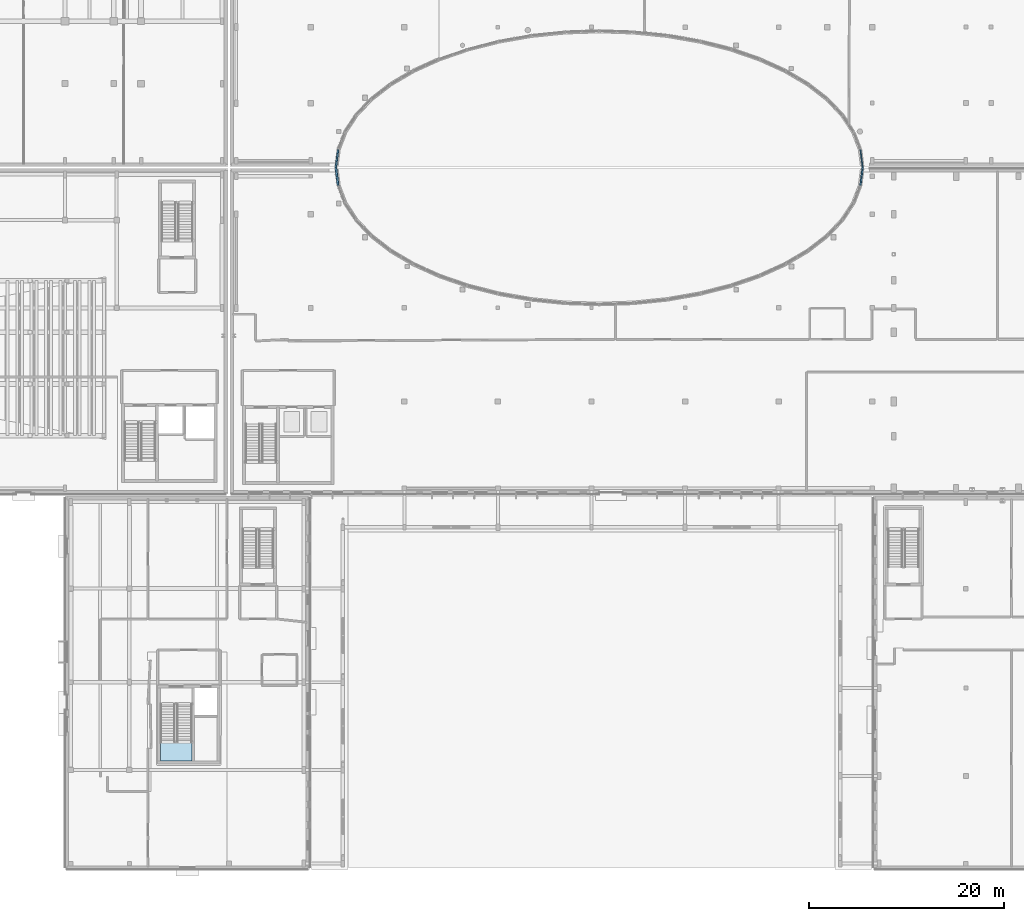
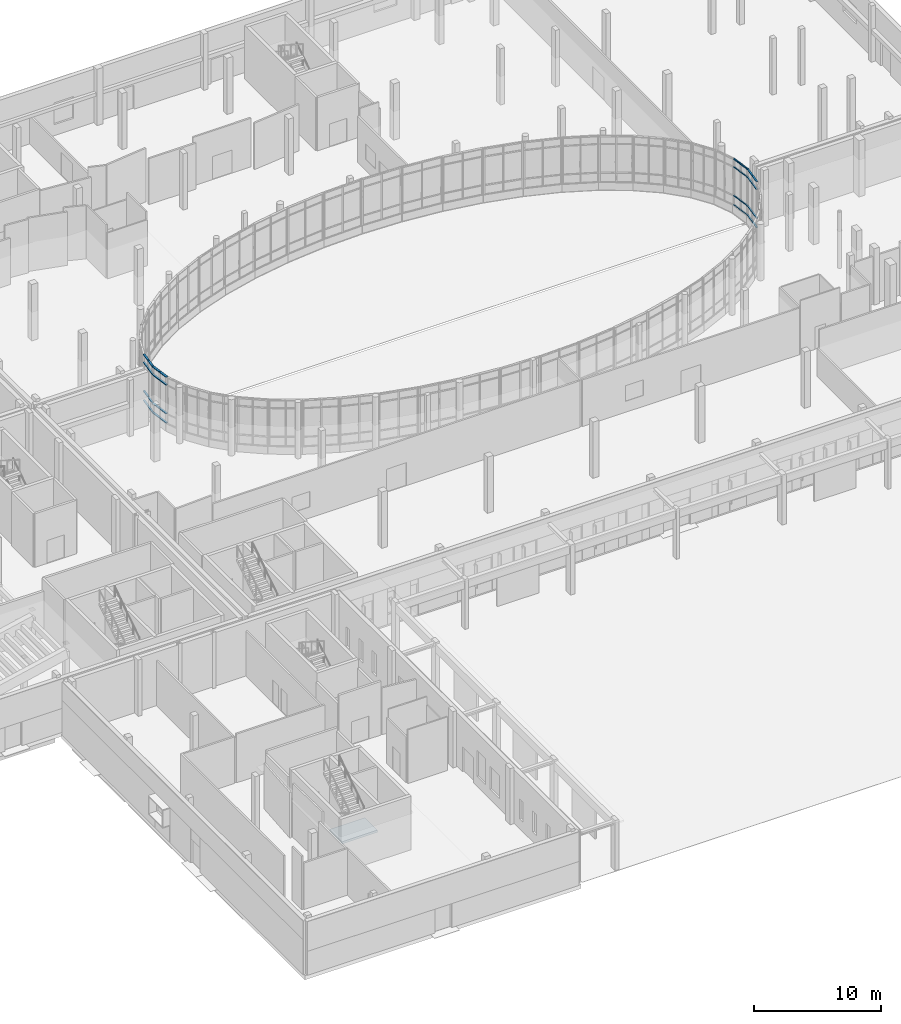
# One storey, part 27 of 84: 32 members, 1 slab, 5 elements without a shape of their own.
"""IFC4 building model written with IfcOpenShell, lengths in metres."""

from ifc_helpers import new_model, si_unit, direction, frame, origin, origin_2d, place, context, subcontext, project, spatial, polyline, rectangle, outline, extrude, material, layer, layer_set, material_profile, profile_set, type_object, element, aggregate, save


model = new_model("IFC4")

# Units and contexts
model_context = context("Model", 3, precision=1e-05, world=origin(), true_north=direction((0.0, 1.0)))
body_context = subcontext(model_context, "Body", "Model", "MODEL_VIEW")
ifc_project = project(units=[si_unit("LENGTHUNIT", "METRE"), si_unit("AREAUNIT", "SQUARE_METRE"), si_unit("VOLUMEUNIT", "CUBIC_METRE"), si_unit("PLANEANGLEUNIT", "RADIAN"), si_unit("MASSUNIT", "GRAM", prefix="KILO")], contexts=[model_context])

# Site, building, storey
site_placement = place(None, origin())
site = spatial("IfcSite", under=ifc_project, at=site_placement, CompositionType="ELEMENT")
building_placement = place(site_placement, origin())
building = spatial("IfcBuilding", under=site, at=building_placement, Name="Mzevani Central Library", CompositionType="ELEMENT")
storey_placement = place(building_placement, origin())
storey = spatial("IfcBuildingStorey", under=building, at=storey_placement, Name="L00", CompositionType="ELEMENT", Elevation=0.0)

# Curtain wall, members
ifc_material_1 = material(Name="Thermally broken aluminium and Low-E triple glazing", Category="aluminium")
curtain_wall_type_1 = type_object("IfcCurtainWallType", Name="Reading Hall Northlight Curtain Wall", PredefinedType="NOTDEFINED", material=ifc_material_1)
curtain_wall_1_placement = place(storey_placement, origin())
curtain_wall_1 = element("IfcCurtainWall", 1, at=curtain_wall_1_placement, inside=storey, type_object=curtain_wall_type_1, Name="L00 Elliptical Court Curtain Wall 1", PredefinedType="NOTDEFINED")
ifc_material_2 = material(Name="Thermally broken aluminium AW-6060", Category="aluminium")
ifc_material_profile_1 = material_profile(ifc_material_2, rectangle(XDim=0.110107421875, YDim=0.06005859375, at=origin_2d()), Name="ALU T60x110")
ifc_profile_set_1 = profile_set([ifc_material_profile_1], Name="Thermally broken aluminium AW-6060")
member_type_1 = type_object("IfcMemberType", Name="CW Transom 60x110", PredefinedType="USERDEFINED", material=ifc_profile_set_1)
member_1_placement = place(storey_placement, frame((111.02001953125, 76.00732421875, 0.719970703125), z_axis=(-0.126249473597, 0.991998523394, 0.0), x_axis=(-0.991998523394, -0.126249473597, 0.0)))
member_1 = element("IfcMember", 2, at=member_1_placement, type_object=member_type_1, Name="L00 Elliptical Court Curtain Wall 1 Transom 1", ObjectType="TRANSOM", PredefinedType="USERDEFINED", context=body_context, shape_type="SweptSolid", body=[
    extrude(rectangle(XDim=0.110107421875, YDim=0.06005859375, at=origin_2d()), origin(), (0.0, 0.0, 1.0), 0.908935546875),
])
member_2_placement = place(storey_placement, frame((111.02001953125, 76.00732421875, 1.6201171875), z_axis=(-0.126249473597, 0.991998523394, 0.0), x_axis=(-0.991998523394, -0.126249473597, 0.0)))
member_2 = element("IfcMember", 3, at=member_2_placement, type_object=member_type_1, Name="L00 Elliptical Court Curtain Wall 1 Transom 2", ObjectType="TRANSOM", PredefinedType="USERDEFINED", context=body_context, shape_type="SweptSolid", body=[
    extrude(rectangle(XDim=0.110107421875, YDim=0.06005859375, at=origin_2d()), origin(), (0.0, 0.0, 1.0), 0.908935546875),
])
member_3_placement = place(storey_placement, frame((111.02001953125, 76.00732421875, 4.3701171875), z_axis=(-0.126249473597, 0.991998523394, 0.0), x_axis=(-0.991998523394, -0.126249473597, 0.0)))
member_3 = element("IfcMember", 4, at=member_3_placement, type_object=member_type_1, Name="L00 Elliptical Court Curtain Wall 1 Transom 3", ObjectType="TRANSOM", PredefinedType="USERDEFINED", context=body_context, shape_type="SweptSolid", body=[
    extrude(rectangle(XDim=0.110107421875, YDim=0.06005859375, at=origin_2d()), origin(), (0.0, 0.0, 1.0), 0.908935546875),
])
member_4_placement = place(storey_placement, frame((111.02001953125, 76.00732421875, 5.1201171875), z_axis=(-0.126249473597, 0.991998523394, 0.0), x_axis=(-0.991998523394, -0.126249473597, 0.0)))
member_4 = element("IfcMember", 5, at=member_4_placement, type_object=member_type_1, Name="L00 Elliptical Court Curtain Wall 1 Transom 4", ObjectType="TRANSOM", PredefinedType="USERDEFINED", context=body_context, shape_type="SweptSolid", body=[
    extrude(rectangle(XDim=0.110107421875, YDim=0.06005859375, at=origin_2d()), origin(), (0.0, 0.0, 1.0), 0.908935546875),
])
member_5_placement = place(storey_placement, frame((110.9052734375, 76.908935546875, 0.719970703125), z_axis=(-0.126283123757, 0.991994240232, 0.0), x_axis=(-0.991994240232, -0.126283123757, 0.0)))
member_5 = element("IfcMember", 6, at=member_5_placement, type_object=member_type_1, Name="L00 Elliptical Court Curtain Wall 1 Transom 5", ObjectType="TRANSOM", PredefinedType="USERDEFINED", context=body_context, shape_type="SweptSolid", body=[
    extrude(rectangle(XDim=0.110107421875, YDim=0.06005859375, at=origin_2d()), origin(), (0.0, 0.0, 1.0), 0.90869140625),
])
member_6_placement = place(storey_placement, frame((110.9052734375, 76.908935546875, 1.6201171875), z_axis=(-0.126283123757, 0.991994240232, 0.0), x_axis=(-0.991994240232, -0.126283123757, 0.0)))
member_6 = element("IfcMember", 7, at=member_6_placement, type_object=member_type_1, Name="L00 Elliptical Court Curtain Wall 1 Transom 6", ObjectType="TRANSOM", PredefinedType="USERDEFINED", context=body_context, shape_type="SweptSolid", body=[
    extrude(rectangle(XDim=0.110107421875, YDim=0.06005859375, at=origin_2d()), origin(), (0.0, 0.0, 1.0), 0.90869140625),
])
member_7_placement = place(storey_placement, frame((110.9052734375, 76.908935546875, 4.3701171875), z_axis=(-0.126283123757, 0.991994240232, 0.0), x_axis=(-0.991994240232, -0.126283123757, 0.0)))
member_7 = element("IfcMember", 8, at=member_7_placement, type_object=member_type_1, Name="L00 Elliptical Court Curtain Wall 1 Transom 7", ObjectType="TRANSOM", PredefinedType="USERDEFINED", context=body_context, shape_type="SweptSolid", body=[
    extrude(rectangle(XDim=0.110107421875, YDim=0.06005859375, at=origin_2d()), origin(), (0.0, 0.0, 1.0), 0.90869140625),
])
member_8_placement = place(storey_placement, frame((110.9052734375, 76.908935546875, 5.1201171875), z_axis=(-0.126283123757, 0.991994240232, 0.0), x_axis=(-0.991994240232, -0.126283123757, 0.0)))
member_8 = element("IfcMember", 9, at=member_8_placement, type_object=member_type_1, Name="L00 Elliptical Court Curtain Wall 1 Transom 8", ObjectType="TRANSOM", PredefinedType="USERDEFINED", context=body_context, shape_type="SweptSolid", body=[
    extrude(rectangle(XDim=0.110107421875, YDim=0.06005859375, at=origin_2d()), origin(), (0.0, 0.0, 1.0), 0.90869140625),
])
aggregate(curtain_wall_1, [member_1, member_2, member_3, member_4, member_5, member_6, member_7, member_8])

curtain_wall_type_2 = type_object("IfcCurtainWallType", Name="Elliptical Court Unitised Curtain Wall", PredefinedType="NOTDEFINED", material=ifc_material_1)
curtain_wall_2_placement = place(storey_placement, origin())
curtain_wall_2 = element("IfcCurtainWall", 10, at=curtain_wall_2_placement, inside=storey, type_object=curtain_wall_type_2, Name="L00 Elliptical Court Curtain Wall 48", PredefinedType="NOTDEFINED")
ifc_material_profile_2 = material_profile(ifc_material_2, rectangle(XDim=0.14990234375, YDim=0.06005859375, at=origin_2d()), Name="ALU T60x150")
ifc_profile_set_2 = profile_set([ifc_material_profile_2], Name="Thermally broken aluminium AW-6060")
member_type_2 = type_object("IfcMemberType", Name="CW Transom 60x150", PredefinedType="USERDEFINED", material=ifc_profile_set_2)
member_9_placement = place(storey_placement, frame((110.79052734375, 74.189697265625, 0.719970703125), z_axis=(0.126283123757, 0.991994240232, 0.0), x_axis=(-0.991994240232, 0.126283123757, 0.0)))
member_9 = element("IfcMember", 11, at=member_9_placement, type_object=member_type_2, Name="L00 Elliptical Court Curtain Wall 48 Transom 1", ObjectType="TRANSOM", PredefinedType="USERDEFINED", context=body_context, shape_type="SweptSolid", body=[
    extrude(rectangle(XDim=0.14990234375, YDim=0.06005859375, at=origin_2d()), origin(), (0.0, 0.0, 1.0), 0.90869140625),
])
member_10_placement = place(storey_placement, frame((110.79052734375, 74.189697265625, 1.6201171875), z_axis=(0.126283123757, 0.991994240232, 0.0), x_axis=(-0.991994240232, 0.126283123757, 0.0)))
member_10 = element("IfcMember", 12, at=member_10_placement, type_object=member_type_2, Name="L00 Elliptical Court Curtain Wall 48 Transom 2", ObjectType="TRANSOM", PredefinedType="USERDEFINED", context=body_context, shape_type="SweptSolid", body=[
    extrude(rectangle(XDim=0.14990234375, YDim=0.06005859375, at=origin_2d()), origin(), (0.0, 0.0, 1.0), 0.90869140625),
])
member_11_placement = place(storey_placement, frame((110.79052734375, 74.189697265625, 4.3701171875), z_axis=(0.126283123757, 0.991994240232, 0.0), x_axis=(-0.991994240232, 0.126283123757, 0.0)))
member_11 = element("IfcMember", 13, at=member_11_placement, type_object=member_type_2, Name="L00 Elliptical Court Curtain Wall 48 Transom 3", ObjectType="TRANSOM", PredefinedType="USERDEFINED", context=body_context, shape_type="SweptSolid", body=[
    extrude(rectangle(XDim=0.14990234375, YDim=0.06005859375, at=origin_2d()), origin(), (0.0, 0.0, 1.0), 0.90869140625),
])
member_12_placement = place(storey_placement, frame((110.79052734375, 74.189697265625, 5.1201171875), z_axis=(0.126283123757, 0.991994240232, 0.0), x_axis=(-0.991994240232, 0.126283123757, 0.0)))
member_12 = element("IfcMember", 14, at=member_12_placement, type_object=member_type_2, Name="L00 Elliptical Court Curtain Wall 48 Transom 4", ObjectType="TRANSOM", PredefinedType="USERDEFINED", context=body_context, shape_type="SweptSolid", body=[
    extrude(rectangle(XDim=0.14990234375, YDim=0.06005859375, at=origin_2d()), origin(), (0.0, 0.0, 1.0), 0.90869140625),
])
member_13_placement = place(storey_placement, frame((110.9052734375, 75.091064453125, 0.719970703125), z_axis=(0.126249473597, 0.991998523394, 0.0), x_axis=(-0.991998523394, 0.126249473597, 0.0)))
member_13 = element("IfcMember", 15, at=member_13_placement, type_object=member_type_2, Name="L00 Elliptical Court Curtain Wall 48 Transom 5", ObjectType="TRANSOM", PredefinedType="USERDEFINED", context=body_context, shape_type="SweptSolid", body=[
    extrude(rectangle(XDim=0.14990234375, YDim=0.06005859375, at=origin_2d()), origin(), (0.0, 0.0, 1.0), 0.908935546875),
])
member_14_placement = place(storey_placement, frame((110.9052734375, 75.091064453125, 1.6201171875), z_axis=(0.126249473597, 0.991998523394, 0.0), x_axis=(-0.991998523394, 0.126249473597, 0.0)))
member_14 = element("IfcMember", 16, at=member_14_placement, type_object=member_type_2, Name="L00 Elliptical Court Curtain Wall 48 Transom 6", ObjectType="TRANSOM", PredefinedType="USERDEFINED", context=body_context, shape_type="SweptSolid", body=[
    extrude(rectangle(XDim=0.14990234375, YDim=0.06005859375, at=origin_2d()), origin(), (0.0, 0.0, 1.0), 0.908935546875),
])
member_15_placement = place(storey_placement, frame((110.9052734375, 75.091064453125, 4.3701171875), z_axis=(0.126249473597, 0.991998523394, 0.0), x_axis=(-0.991998523394, 0.126249473597, 0.0)))
member_15 = element("IfcMember", 17, at=member_15_placement, type_object=member_type_2, Name="L00 Elliptical Court Curtain Wall 48 Transom 7", ObjectType="TRANSOM", PredefinedType="USERDEFINED", context=body_context, shape_type="SweptSolid", body=[
    extrude(rectangle(XDim=0.14990234375, YDim=0.06005859375, at=origin_2d()), origin(), (0.0, 0.0, 1.0), 0.908935546875),
])
member_16_placement = place(storey_placement, frame((110.9052734375, 75.091064453125, 5.1201171875), z_axis=(0.126249473597, 0.991998523394, 0.0), x_axis=(-0.991998523394, 0.126249473597, 0.0)))
member_16 = element("IfcMember", 18, at=member_16_placement, type_object=member_type_2, Name="L00 Elliptical Court Curtain Wall 48 Transom 8", ObjectType="TRANSOM", PredefinedType="USERDEFINED", context=body_context, shape_type="SweptSolid", body=[
    extrude(rectangle(XDim=0.14990234375, YDim=0.06005859375, at=origin_2d()), origin(), (0.0, 0.0, 1.0), 0.908935546875),
])
aggregate(curtain_wall_2, [member_9, member_10, member_11, member_12, member_13, member_14, member_15, member_16])

curtain_wall_3_placement = place(storey_placement, origin())
curtain_wall_3 = element("IfcCurtainWall", 19, at=curtain_wall_3_placement, inside=storey, type_object=curtain_wall_type_2, Name="L00 Elliptical Court Curtain Wall 24", PredefinedType="NOTDEFINED")
ifc_material_profile_3 = material_profile(ifc_material_2, rectangle(XDim=0.169921875, YDim=0.06494140625, at=origin_2d()), Name="ALU T65x170")
ifc_profile_set_3 = profile_set([ifc_material_profile_3], Name="Thermally broken aluminium AW-6060")
member_type_3 = type_object("IfcMemberType", Name="CW Transom 65x170", PredefinedType="USERDEFINED", material=ifc_profile_set_3)
member_17_placement = place(storey_placement, frame((57.20947265625, 77.810302734375, 0.719970703125), z_axis=(-0.126283123757, -0.991994240232, 0.0), x_axis=(0.991994240232, -0.126283123757, 0.0)))
member_17 = element("IfcMember", 20, at=member_17_placement, type_object=member_type_3, Name="L00 Elliptical Court Curtain Wall 24 Transom 1", ObjectType="TRANSOM", PredefinedType="USERDEFINED", context=body_context, shape_type="SweptSolid", body=[
    extrude(rectangle(XDim=0.169921875, YDim=0.06494140625, at=origin_2d()), origin(), (0.0, 0.0, 1.0), 0.90869140625),
])
member_18_placement = place(storey_placement, frame((57.20947265625, 77.810302734375, 1.6201171875), z_axis=(-0.126283123757, -0.991994240232, 0.0), x_axis=(0.991994240232, -0.126283123757, 0.0)))
member_18 = element("IfcMember", 21, at=member_18_placement, type_object=member_type_3, Name="L00 Elliptical Court Curtain Wall 24 Transom 2", ObjectType="TRANSOM", PredefinedType="USERDEFINED", context=body_context, shape_type="SweptSolid", body=[
    extrude(rectangle(XDim=0.169921875, YDim=0.06494140625, at=origin_2d()), origin(), (0.0, 0.0, 1.0), 0.90869140625),
])
member_19_placement = place(storey_placement, frame((57.20947265625, 77.810302734375, 4.3701171875), z_axis=(-0.126283123757, -0.991994240232, 0.0), x_axis=(0.991994240232, -0.126283123757, 0.0)))
member_19 = element("IfcMember", 22, at=member_19_placement, type_object=member_type_3, Name="L00 Elliptical Court Curtain Wall 24 Transom 3", ObjectType="TRANSOM", PredefinedType="USERDEFINED", context=body_context, shape_type="SweptSolid", body=[
    extrude(rectangle(XDim=0.169921875, YDim=0.06494140625, at=origin_2d()), origin(), (0.0, 0.0, 1.0), 0.90869140625),
])
member_20_placement = place(storey_placement, frame((57.20947265625, 77.810302734375, 5.1201171875), z_axis=(-0.126283123757, -0.991994240232, 0.0), x_axis=(0.991994240232, -0.126283123757, 0.0)))
member_20 = element("IfcMember", 23, at=member_20_placement, type_object=member_type_3, Name="L00 Elliptical Court Curtain Wall 24 Transom 4", ObjectType="TRANSOM", PredefinedType="USERDEFINED", context=body_context, shape_type="SweptSolid", body=[
    extrude(rectangle(XDim=0.169921875, YDim=0.06494140625, at=origin_2d()), origin(), (0.0, 0.0, 1.0), 0.90869140625),
])
member_21_placement = place(storey_placement, frame((57.0947265625, 76.908935546875, 0.719970703125), z_axis=(-0.126249473597, -0.991998523394, 0.0), x_axis=(0.991998523394, -0.126249473597, 0.0)))
member_21 = element("IfcMember", 24, at=member_21_placement, type_object=member_type_3, Name="L00 Elliptical Court Curtain Wall 24 Transom 5", ObjectType="TRANSOM", PredefinedType="USERDEFINED", context=body_context, shape_type="SweptSolid", body=[
    extrude(rectangle(XDim=0.169921875, YDim=0.06494140625, at=origin_2d()), origin(), (0.0, 0.0, 1.0), 0.908935546875),
])
member_22_placement = place(storey_placement, frame((57.0947265625, 76.908935546875, 1.6201171875), z_axis=(-0.126249473597, -0.991998523394, 0.0), x_axis=(0.991998523394, -0.126249473597, 0.0)))
member_22 = element("IfcMember", 25, at=member_22_placement, type_object=member_type_3, Name="L00 Elliptical Court Curtain Wall 24 Transom 6", ObjectType="TRANSOM", PredefinedType="USERDEFINED", context=body_context, shape_type="SweptSolid", body=[
    extrude(rectangle(XDim=0.169921875, YDim=0.06494140625, at=origin_2d()), origin(), (0.0, 0.0, 1.0), 0.908935546875),
])
member_23_placement = place(storey_placement, frame((57.0947265625, 76.908935546875, 4.3701171875), z_axis=(-0.126249473597, -0.991998523394, 0.0), x_axis=(0.991998523394, -0.126249473597, 0.0)))
member_23 = element("IfcMember", 26, at=member_23_placement, type_object=member_type_3, Name="L00 Elliptical Court Curtain Wall 24 Transom 7", ObjectType="TRANSOM", PredefinedType="USERDEFINED", context=body_context, shape_type="SweptSolid", body=[
    extrude(rectangle(XDim=0.169921875, YDim=0.06494140625, at=origin_2d()), origin(), (0.0, 0.0, 1.0), 0.908935546875),
])
member_24_placement = place(storey_placement, frame((57.0947265625, 76.908935546875, 5.1201171875), z_axis=(-0.126249473597, -0.991998523394, 0.0), x_axis=(0.991998523394, -0.126249473597, 0.0)))
member_24 = element("IfcMember", 27, at=member_24_placement, type_object=member_type_3, Name="L00 Elliptical Court Curtain Wall 24 Transom 8", ObjectType="TRANSOM", PredefinedType="USERDEFINED", context=body_context, shape_type="SweptSolid", body=[
    extrude(rectangle(XDim=0.169921875, YDim=0.06494140625, at=origin_2d()), origin(), (0.0, 0.0, 1.0), 0.908935546875),
])
aggregate(curtain_wall_3, [member_17, member_18, member_19, member_20, member_21, member_22, member_23, member_24])

curtain_wall_4_placement = place(storey_placement, origin())
curtain_wall_4 = element("IfcCurtainWall", 28, at=curtain_wall_4_placement, inside=storey, type_object=curtain_wall_type_1, Name="L00 Elliptical Court Curtain Wall 25", PredefinedType="NOTDEFINED")
ifc_material_profile_4 = material_profile(ifc_material_2, rectangle(XDim=0.18994140625, YDim=0.070068359375, at=origin_2d()), Name="ALU T70x190")
ifc_profile_set_4 = profile_set([ifc_material_profile_4], Name="Thermally broken aluminium AW-6060")
member_type_4 = type_object("IfcMemberType", Name="CW Transom 70x190", PredefinedType="USERDEFINED", material=ifc_profile_set_4)
member_25_placement = place(storey_placement, frame((56.97998046875, 75.99267578125, 0.719970703125), z_axis=(0.126249473597, -0.991998523394, 0.0), x_axis=(0.991998523394, 0.126249473597, 0.0)))
member_25 = element("IfcMember", 29, at=member_25_placement, type_object=member_type_4, Name="L00 Elliptical Court Curtain Wall 25 Transom 1", ObjectType="TRANSOM", PredefinedType="USERDEFINED", context=body_context, shape_type="SweptSolid", body=[
    extrude(rectangle(XDim=0.18994140625, YDim=0.070068359375, at=origin_2d()), origin(), (0.0, 0.0, 1.0), 0.908935546875),
])
member_26_placement = place(storey_placement, frame((56.97998046875, 75.99267578125, 1.6201171875), z_axis=(0.126249473597, -0.991998523394, 0.0), x_axis=(0.991998523394, 0.126249473597, 0.0)))
member_26 = element("IfcMember", 30, at=member_26_placement, type_object=member_type_4, Name="L00 Elliptical Court Curtain Wall 25 Transom 2", ObjectType="TRANSOM", PredefinedType="USERDEFINED", context=body_context, shape_type="SweptSolid", body=[
    extrude(rectangle(XDim=0.18994140625, YDim=0.070068359375, at=origin_2d()), origin(), (0.0, 0.0, 1.0), 0.908935546875),
])
member_27_placement = place(storey_placement, frame((56.97998046875, 75.99267578125, 4.3701171875), z_axis=(0.126249473597, -0.991998523394, 0.0), x_axis=(0.991998523394, 0.126249473597, 0.0)))
member_27 = element("IfcMember", 31, at=member_27_placement, type_object=member_type_4, Name="L00 Elliptical Court Curtain Wall 25 Transom 3", ObjectType="TRANSOM", PredefinedType="USERDEFINED", context=body_context, shape_type="SweptSolid", body=[
    extrude(rectangle(XDim=0.18994140625, YDim=0.070068359375, at=origin_2d()), origin(), (0.0, 0.0, 1.0), 0.908935546875),
])
member_28_placement = place(storey_placement, frame((56.97998046875, 75.99267578125, 5.1201171875), z_axis=(0.126249473597, -0.991998523394, 0.0), x_axis=(0.991998523394, 0.126249473597, 0.0)))
member_28 = element("IfcMember", 32, at=member_28_placement, type_object=member_type_4, Name="L00 Elliptical Court Curtain Wall 25 Transom 4", ObjectType="TRANSOM", PredefinedType="USERDEFINED", context=body_context, shape_type="SweptSolid", body=[
    extrude(rectangle(XDim=0.18994140625, YDim=0.070068359375, at=origin_2d()), origin(), (0.0, 0.0, 1.0), 0.908935546875),
])
member_29_placement = place(storey_placement, frame((57.0947265625, 75.091064453125, 0.719970703125), z_axis=(0.126283123757, -0.991994240232, 0.0), x_axis=(0.991994240232, 0.126283123757, 0.0)))
member_29 = element("IfcMember", 33, at=member_29_placement, type_object=member_type_4, Name="L00 Elliptical Court Curtain Wall 25 Transom 5", ObjectType="TRANSOM", PredefinedType="USERDEFINED", context=body_context, shape_type="SweptSolid", body=[
    extrude(rectangle(XDim=0.18994140625, YDim=0.070068359375, at=origin_2d()), origin(), (0.0, 0.0, 1.0), 0.90869140625),
])
member_30_placement = place(storey_placement, frame((57.0947265625, 75.091064453125, 1.6201171875), z_axis=(0.126283123757, -0.991994240232, 0.0), x_axis=(0.991994240232, 0.126283123757, 0.0)))
member_30 = element("IfcMember", 34, at=member_30_placement, type_object=member_type_4, Name="L00 Elliptical Court Curtain Wall 25 Transom 6", ObjectType="TRANSOM", PredefinedType="USERDEFINED", context=body_context, shape_type="SweptSolid", body=[
    extrude(rectangle(XDim=0.18994140625, YDim=0.070068359375, at=origin_2d()), origin(), (0.0, 0.0, 1.0), 0.90869140625),
])
member_31_placement = place(storey_placement, frame((57.0947265625, 75.091064453125, 4.3701171875), z_axis=(0.126283123757, -0.991994240232, 0.0), x_axis=(0.991994240232, 0.126283123757, 0.0)))
member_31 = element("IfcMember", 35, at=member_31_placement, type_object=member_type_4, Name="L00 Elliptical Court Curtain Wall 25 Transom 7", ObjectType="TRANSOM", PredefinedType="USERDEFINED", context=body_context, shape_type="SweptSolid", body=[
    extrude(rectangle(XDim=0.18994140625, YDim=0.070068359375, at=origin_2d()), origin(), (0.0, 0.0, 1.0), 0.90869140625),
])
member_32_placement = place(storey_placement, frame((57.0947265625, 75.091064453125, 5.1201171875), z_axis=(0.126283123757, -0.991994240232, 0.0), x_axis=(0.991994240232, 0.126283123757, 0.0)))
member_32 = element("IfcMember", 36, at=member_32_placement, type_object=member_type_4, Name="L00 Elliptical Court Curtain Wall 25 Transom 8", ObjectType="TRANSOM", PredefinedType="USERDEFINED", context=body_context, shape_type="SweptSolid", body=[
    extrude(rectangle(XDim=0.18994140625, YDim=0.070068359375, at=origin_2d()), origin(), (0.0, 0.0, 1.0), 0.90869140625),
])
aggregate(curtain_wall_4, [member_25, member_26, member_27, member_28, member_29, member_30, member_31, member_32])

# Stair, slab
ifc_material_3 = material(Name="Concrete C35/45", Category="concrete")
stair_type = type_object("IfcStairType", Name="Dogleg Exit Stair 180x280", PredefinedType="HALF_TURN_STAIR", material=ifc_material_3)
stair_placement = place(storey_placement, origin())
stair = element("IfcStair", 37, at=stair_placement, inside=storey, type_object=stair_type, Name="L00 Core C4A Cultural Wing Core Exit Stair ST-01", PredefinedType="HALF_TURN_STAIR")
ifc_layer = layer(ifc_material_3, 0.199951171875, Name="Stair Landing Slab 200")
ifc_layer_set = layer_set([ifc_layer], Name="Concrete C35/45")
slab_type = type_object("IfcSlabType", Name="Stair Landing Slab 200", PredefinedType="LANDING", material=ifc_layer_set)
slab_placement = place(storey_placement, frame((0.0, 0.0, 2.5)))
slab = element("IfcSlab", 38, at=slab_placement, type_object=slab_type, Name="ST-07 landing 1", PredefinedType="LANDING", context=body_context, shape_type="SweptSolid", body=[
    extrude(outline(polyline([(39.0, 17.080078125), (39.0, 15.10009765625), (42.199951171875, 15.10009765625), (42.199951171875, 17.080078125), (39.0, 17.080078125)])), origin(), (0.0, 0.0, 1.0), 0.199951171875),
])
aggregate(stair, [slab])

save(model, "model.ifc")
